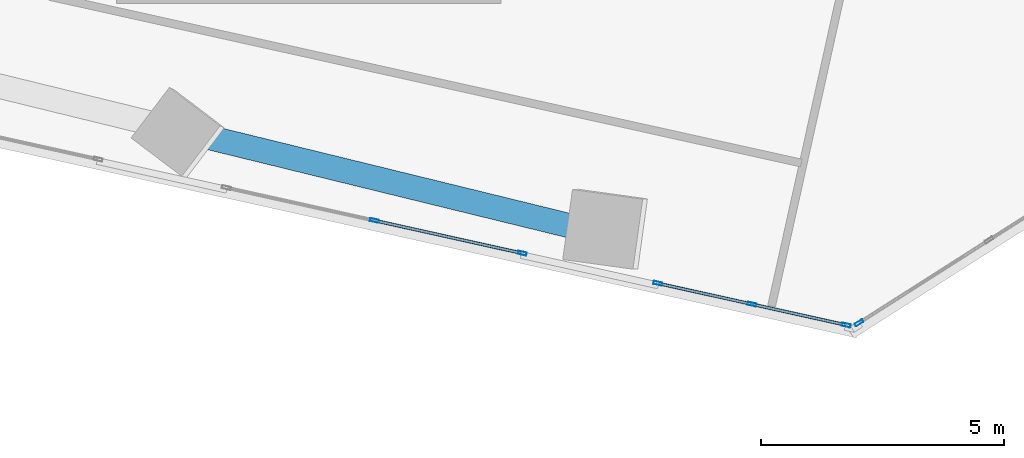
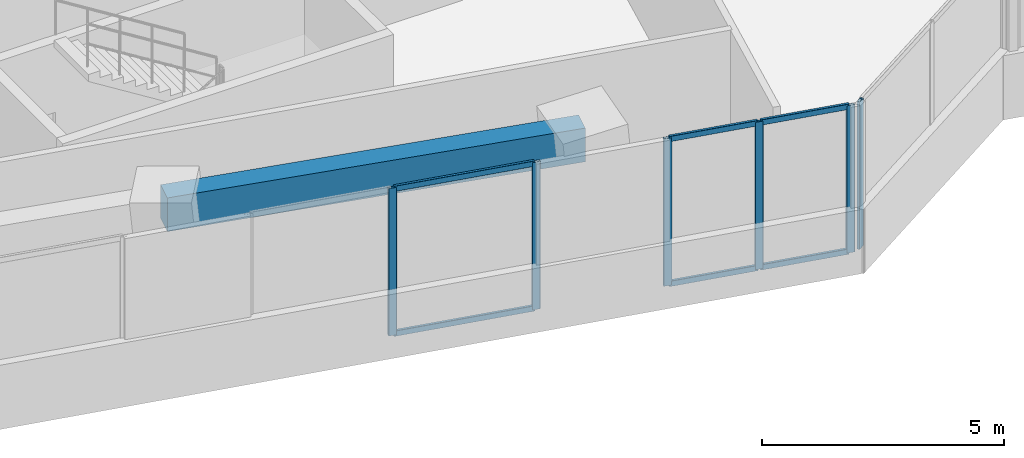
# One storey, part 4 of 25: 12 members, 1 beam, 3 elements without a shape of their own.
"""IFC4 building model written with IfcOpenShell, lengths in metres."""

from ifc_helpers import new_model, si_unit, direction, frame, origin, origin_2d, place, context, subcontext, project, spatial, rectangle, hollow_rectangle, extrude, source, transform, mapped, material, material_profile, profile_set, type_object, element, aggregate, save


model = new_model("IFC4")

# Units and contexts
model_context = context("Model", 3, precision=1e-05, world=origin(), true_north=direction((0.0, 1.0)))
body_context = subcontext(model_context, "Body", "Model", "MODEL_VIEW")
ifc_project = project(units=[si_unit("LENGTHUNIT", "METRE"), si_unit("AREAUNIT", "SQUARE_METRE"), si_unit("VOLUMEUNIT", "CUBIC_METRE"), si_unit("PLANEANGLEUNIT", "RADIAN"), si_unit("MASSUNIT", "GRAM", prefix="KILO")], contexts=[model_context])

# Site, building, storey
site_placement = place(None, origin())
site = spatial("IfcSite", under=ifc_project, at=site_placement, CompositionType="ELEMENT")
building_placement = place(site_placement, origin())
building = spatial("IfcBuilding", under=site, at=building_placement, Name="Torre Montelarca", CompositionType="ELEMENT")
storey_placement = place(building_placement, frame((0.0, 0.0, 91.60009765625)))
storey = spatial("IfcBuildingStorey", under=building, at=storey_placement, Name="L20", CompositionType="ELEMENT", Elevation=91.60009765625)

# Beam
ifc_material_1 = material(Name="Concrete C55/67", Category="concrete")
ifc_material_profile_1 = material_profile(ifc_material_1, rectangle(XDim=0.5, YDim=0.85009765625, at=origin_2d()), Name="RCB500X850", Category="concrete")
ifc_profile_set_1 = profile_set([ifc_material_profile_1], Name="Concrete C55/67")
beam_type = type_object("IfcBeamType", Name="BM-SP-RC850-EXT", PredefinedType="SPANDREL", material=ifc_profile_set_1)
shared_shape_1 = source(origin(), body_context, "Body", "SweptSolid", [
    extrude(rectangle(XDim=0.5, YDim=0.85009765625, at=origin_2d()), origin(), (0.0, 0.0, 1.0), 8.999755859375),
])
beam_placement = place(storey_placement, frame((14.01220703125, 16.124755859375, 3.534912109375), z_axis=(0.971341550967, -0.237688012667, 0.0), x_axis=(0.237688012667, 0.971341550967, 0.0)))
element("IfcBeam", 1, at=beam_placement, inside=storey, type_object=beam_type, Name="L20 Grid Girder X 18.0-27.0 at Y=14.8", PredefinedType="SPANDREL", context=body_context, shape_type="MappedRepresentation", body=[
    mapped(shared_shape_1, transform((0.0, 0.0, 0.0), scale=1.0)),
])

# Curtain wall, members
ifc_material_2 = material(Name="Insulated low-E laminated glass", Category="glass")
curtain_wall_type = type_object("IfcCurtainWallType", Name="CW-SYS-Z1", PredefinedType="USERDEFINED", material=ifc_material_2)
curtain_wall_1_placement = place(storey_placement, origin())
curtain_wall_1 = element("IfcCurtainWall", 2, at=curtain_wall_1_placement, inside=storey, type_object=curtain_wall_type, Name="L20 Curtain Wall Run CW-T3-L20-E01-B3", ObjectType="UNITISED GLAZING", PredefinedType="USERDEFINED")
ifc_material_3 = material(Name="Anodised aluminium AA 6063-T6", Category="aluminium")
ifc_material_profile_2 = material_profile(ifc_material_3, hollow_rectangle(XDim=0.06494140625, YDim=0.139892578125, WallThickness=0.00390625, InnerFilletRadius=0.00390625, OuterFilletRadius=0.008056640625, at=origin_2d()), Name="ALU65X140X4", Category="aluminium")
ifc_profile_set_2 = profile_set([ifc_material_profile_2], Name="Anodised aluminium AA 6063-T6")
member_type_1 = type_object("IfcMemberType", Name="CWT-ALU140", PredefinedType="USERDEFINED", material=ifc_profile_set_2)
shared_shape_2 = source(origin(), body_context, "Body", "SweptSolid", [
    extrude(hollow_rectangle(XDim=0.06494140625, YDim=0.139892578125, WallThickness=0.00390625, InnerFilletRadius=0.00390625, OuterFilletRadius=0.008056640625, at=origin_2d()), origin(), (0.0, 0.0, 1.0), 1.9169921875),
])
member_1_placement = place(storey_placement, frame((24.198486328125, 12.89306640625, 0.032470703125), z_axis=(0.97628285362, -0.216498937015, 0.0), x_axis=(0.216498937015, 0.97628285362, 0.0)))
member_1 = element("IfcMember", 3, at=member_1_placement, type_object=member_type_1, Name="CW transom 1.1", ObjectType="TRANSOM", PredefinedType="USERDEFINED", context=body_context, shape_type="MappedRepresentation", body=[
    mapped(shared_shape_2, transform((0.0, 0.0, 0.0), scale=1.0)),
])
member_2_placement = place(storey_placement, frame((24.198486328125, 12.89306640625, 3.6875), z_axis=(0.97628285362, -0.216498937015, 0.0), x_axis=(0.216498937015, 0.97628285362, 0.0)))
member_2 = element("IfcMember", 4, at=member_2_placement, type_object=member_type_1, Name="CW transom 1.2", ObjectType="TRANSOM", PredefinedType="USERDEFINED", context=body_context, shape_type="MappedRepresentation", body=[
    mapped(shared_shape_2, transform((0.0, 0.0, 0.0), scale=1.0)),
])
member_3_placement = place(storey_placement, frame((26.133544921875, 12.464111328125, 0.032470703125), z_axis=(0.97628285362, -0.216498937015, 0.0), x_axis=(0.216498937015, 0.97628285362, 0.0)))
member_3 = element("IfcMember", 5, at=member_3_placement, type_object=member_type_1, Name="CW transom 2.1", ObjectType="TRANSOM", PredefinedType="USERDEFINED", context=body_context, shape_type="MappedRepresentation", body=[
    mapped(shared_shape_2, transform((0.0, 0.0, 0.0), scale=1.0)),
])
member_4_placement = place(storey_placement, frame((26.133544921875, 12.464111328125, 3.6875), z_axis=(0.97628285362, -0.216498937015, 0.0), x_axis=(0.216498937015, 0.97628285362, 0.0)))
member_4 = element("IfcMember", 6, at=member_4_placement, type_object=member_type_1, Name="CW transom 2.2", ObjectType="TRANSOM", PredefinedType="USERDEFINED", context=body_context, shape_type="MappedRepresentation", body=[
    mapped(shared_shape_2, transform((0.0, 0.0, 0.0), scale=1.0)),
])

curtain_wall_2_placement = place(storey_placement, origin())
curtain_wall_2 = element("IfcCurtainWall", 7, at=curtain_wall_2_placement, inside=storey, type_object=curtain_wall_type, Name="L20 Curtain Wall Run CW-T3-L20-E01-B2", ObjectType="UNITISED GLAZING", PredefinedType="USERDEFINED")
shared_shape_3 = source(origin(), body_context, "Body", "SweptSolid", [
    extrude(hollow_rectangle(XDim=0.06494140625, YDim=0.139892578125, WallThickness=0.00390625, InnerFilletRadius=0.00390625, OuterFilletRadius=0.008056640625, at=origin_2d()), origin(), (0.0, 0.0, 1.0), 3.046875),
])
member_5_placement = place(storey_placement, frame((18.37646484375, 14.18359375, 0.032470703125), z_axis=(0.97629817048, -0.216429855422, 0.0), x_axis=(0.216429855422, 0.97629817048, 0.0)))
member_5 = element("IfcMember", 8, at=member_5_placement, type_object=member_type_1, Name="CW transom 2.1", ObjectType="TRANSOM", PredefinedType="USERDEFINED", context=body_context, shape_type="MappedRepresentation", body=[
    mapped(shared_shape_3, transform((0.0, 0.0, 0.0), scale=1.0)),
])
member_6_placement = place(storey_placement, frame((18.37646484375, 14.18359375, 3.6875), z_axis=(0.97629817048, -0.216429855422, 0.0), x_axis=(0.216429855422, 0.97629817048, 0.0)))
member_6 = element("IfcMember", 9, at=member_6_placement, type_object=member_type_1, Name="CW transom 2.2", ObjectType="TRANSOM", PredefinedType="USERDEFINED", context=body_context, shape_type="MappedRepresentation", body=[
    mapped(shared_shape_3, transform((0.0, 0.0, 0.0), scale=1.0)),
])
ifc_material_profile_3 = material_profile(ifc_material_3, hollow_rectangle(XDim=0.06494140625, YDim=0.179931640625, WallThickness=0.00390625, InnerFilletRadius=0.00390625, OuterFilletRadius=0.008056640625, at=origin_2d()), Name="ALU65X180X4", Category="aluminium")
ifc_profile_set_3 = profile_set([ifc_material_profile_3], Name="Anodised aluminium AA 6063-T6")
member_type_2 = type_object("IfcMemberType", Name="CWM-ALU180", PredefinedType="MULLION", material=ifc_profile_set_3)
shared_shape_4 = source(origin(), body_context, "Body", "SweptSolid", [
    extrude(hollow_rectangle(XDim=0.06494140625, YDim=0.179931640625, WallThickness=0.00390625, InnerFilletRadius=0.00390625, OuterFilletRadius=0.008056640625, at=origin_2d()), origin(), (0.0, 0.0, 1.0), 3.719970703125),
])
member_7_placement = place(storey_placement, frame((18.344970703125, 14.190673828125, 0.0), z_axis=(0.0, 0.0, 1.0), x_axis=(0.216440465559, 0.97629581832, 0.0)))
member_7 = element("IfcMember", 10, at=member_7_placement, type_object=member_type_2, Name="CW mullion 2", PredefinedType="MULLION", context=body_context, shape_type="MappedRepresentation", body=[
    mapped(shared_shape_4, transform((0.0, 0.0, 0.0), scale=1.0)),
])
member_8_placement = place(storey_placement, frame((21.3828125, 13.517333984375, 0.0), z_axis=(0.0, 0.0, 1.0), x_axis=(0.216440465559, 0.97629581832, 0.0)))
member_8 = element("IfcMember", 11, at=member_8_placement, type_object=member_type_2, Name="CW mullion 3", PredefinedType="MULLION", context=body_context, shape_type="MappedRepresentation", body=[
    mapped(shared_shape_4, transform((0.0, 0.0, 0.0), scale=1.0)),
])
aggregate(curtain_wall_2, [member_7, member_8, member_5, member_6])

# Member
member_9_placement = place(storey_placement, frame((24.166748046875, 12.900146484375, 0.0), z_axis=(0.0, 0.0, 1.0), x_axis=(0.216444275505, 0.976294973664, 0.0)))
member_9 = element("IfcMember", 12, at=member_9_placement, type_object=member_type_2, Name="CW mullion 1", PredefinedType="MULLION", context=body_context, shape_type="MappedRepresentation", body=[
    mapped(shared_shape_4, transform((0.0, 0.0, 0.0), scale=1.0)),
])

member_10_placement = place(storey_placement, frame((26.101806640625, 12.470947265625, 0.0), z_axis=(0.0, 0.0, 1.0), x_axis=(0.216444275505, 0.976294973664, 0.0)))
member_10 = element("IfcMember", 13, at=member_10_placement, type_object=member_type_2, Name="CW mullion 2", PredefinedType="MULLION", context=body_context, shape_type="MappedRepresentation", body=[
    mapped(shared_shape_4, transform((0.0, 0.0, 0.0), scale=1.0)),
])

member_11_placement = place(storey_placement, frame((28.036865234375, 12.0419921875, 0.0), z_axis=(0.0, 0.0, 1.0), x_axis=(0.216444275505, 0.976294973664, 0.0)))
member_11 = element("IfcMember", 14, at=member_11_placement, type_object=member_type_2, Name="CW mullion 3", PredefinedType="MULLION", context=body_context, shape_type="MappedRepresentation", body=[
    mapped(shared_shape_4, transform((0.0, 0.0, 0.0), scale=1.0)),
])

aggregate(curtain_wall_1, [member_9, member_10, member_11, member_1, member_2, member_3, member_4])

# Curtain wall, member
curtain_wall_3_placement = place(storey_placement, origin())
curtain_wall_3 = element("IfcCurtainWall", 15, at=curtain_wall_3_placement, inside=storey, type_object=curtain_wall_type, Name="L20 Curtain Wall Run CW-T3-L20-E02-B1", ObjectType="UNITISED GLAZING", PredefinedType="USERDEFINED")
member_12_placement = place(storey_placement, frame((28.2998046875, 12.08837890625, 0.0), z_axis=(0.0, 0.0, 1.0), x_axis=(-0.537312197398, 0.843383425571, 0.0)))
member_12 = element("IfcMember", 16, at=member_12_placement, type_object=member_type_2, Name="CW mullion 1", PredefinedType="MULLION", context=body_context, shape_type="MappedRepresentation", body=[
    mapped(shared_shape_4, transform((0.0, 0.0, 0.0), scale=1.0)),
])
aggregate(curtain_wall_3, [member_12])

save(model, "model.ifc")
